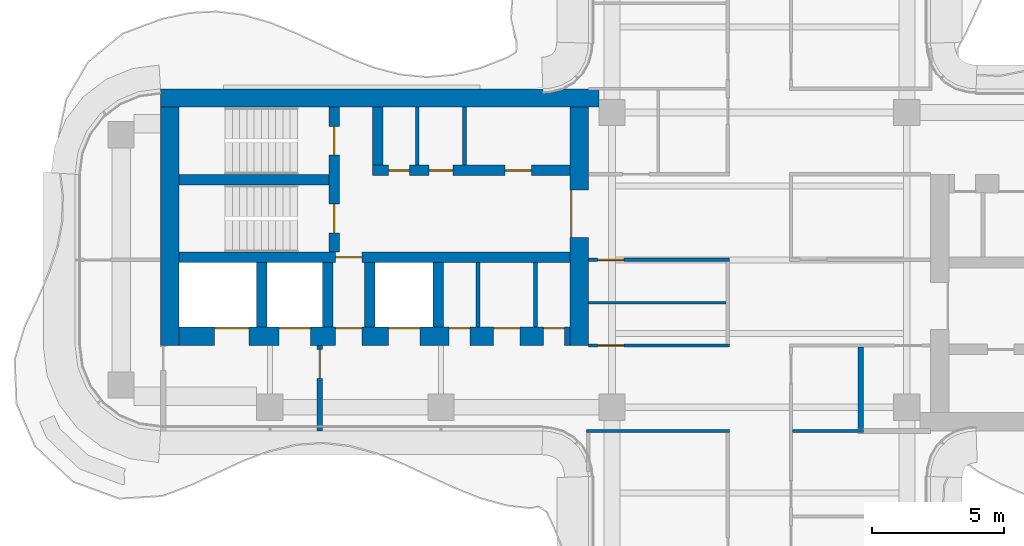
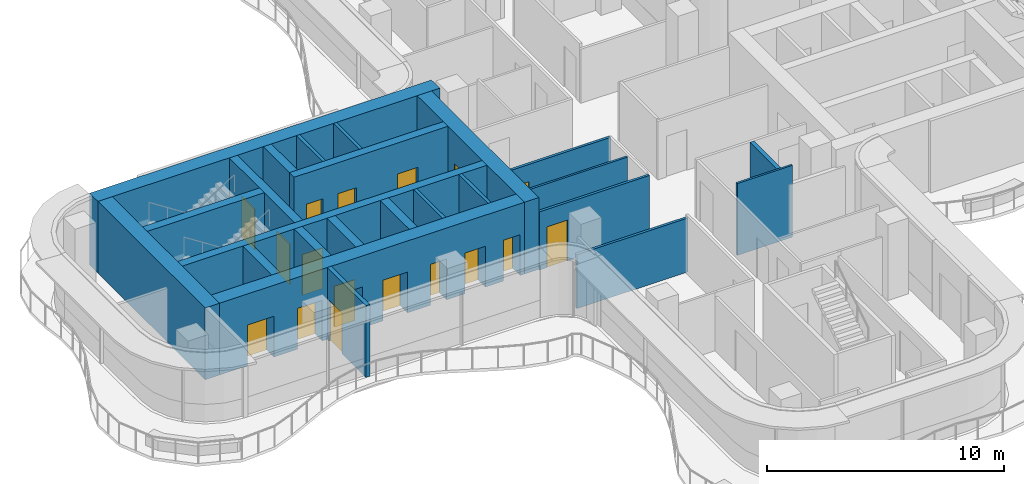
# One storey, part 11 of 16: 24 walls, 17 doors, 17 openings.
"""IFC4 building model written with IfcOpenShell, lengths in metres."""

from ifc_helpers import new_model, si_unit, direction, frame, frame_2d, origin, place, context, subcontext, project, spatial, rectangle, extrude, source, transform, mapped, material, layer, layer_set, type_object, element, fill, save


model = new_model("IFC4")

# Units and contexts
model_context = context("Model", 3, precision=1e-05, world=origin(), true_north=direction((0.0, 1.0)))
body_context = subcontext(model_context, "Body", "Model", "MODEL_VIEW")
ifc_project = project(units=[si_unit("LENGTHUNIT", "METRE"), si_unit("AREAUNIT", "SQUARE_METRE"), si_unit("VOLUMEUNIT", "CUBIC_METRE"), si_unit("PLANEANGLEUNIT", "RADIAN"), si_unit("MASSUNIT", "GRAM", prefix="KILO")], contexts=[model_context])

# Site, building, storey
site_placement = place(None, origin())
site = spatial("IfcSite", under=ifc_project, at=site_placement, CompositionType="ELEMENT")
building_placement = place(site_placement, origin())
building = spatial("IfcBuilding", under=site, at=building_placement, Name="Trellis Farm Tower", CompositionType="ELEMENT")
storey_placement = place(building_placement, frame((0.0, 0.0, 291.10009765625)))
storey = spatial("IfcBuildingStorey", under=building, at=storey_placement, Name="L65", CompositionType="ELEMENT", Elevation=291.10009765625)

# Wall, opening, door
ifc_material_1 = material(Name="Concrete C50/60", Category="concrete")
ifc_layer_1 = layer(ifc_material_1, 0.699951171875)
ifc_layer_set_1 = layer_set([ifc_layer_1], Name="CORE OUTER WALL 700 CONCRETE C50/60")
wall_type_1 = type_object("IfcWallType", Name="CORE OUTER WALL 700 CONCRETE C50/60", PredefinedType="SHEAR", material=ifc_layer_set_1)
shared_shape_1 = source(origin(), body_context, "Body", "SweptSolid", [
    extrude(rectangle(XDim=9.050048828125, YDim=0.699951171875, at=frame_2d((4.52490234375, 0.0))), origin(), (0.0, 0.0, 1.0), 3.699951171875),
])
wall_1_placement = place(storey_placement, frame((-6.85009765625, 5.800048828125, 0.0), z_axis=(0.0, 0.0, 1.0), x_axis=(0.0, -1.0, 0.0)))
wall_1 = element("IfcWall", 1, at=wall_1_placement, inside=storey, type_object=wall_type_1, Name="Core wall", PredefinedType="SHEAR", context=body_context, shape_type="MappedRepresentation", body=[
    mapped(shared_shape_1, transform((0.0, 0.0, 0.0))),
])
shared_shape_2 = source(origin(), body_context, "Body", "SweptSolid", [
    extrude(rectangle(XDim=1.800048828125, YDim=2.10009765625, at=frame_2d((0.89990234375, 1.050048828125))), frame((0.0, 0.360107421875, 0.0), z_axis=(0.0, -1.0, 0.0), x_axis=(1.0, 0.0, 0.0)), (0.0, 0.0, 1.0), 0.72021484375),
])
opening_1_placement = place(wall_1_placement, frame((3.14990234375, 0.0, 0.0)))
opening_1 = element("IfcOpeningElement", 2, at=opening_1_placement, cuts=wall_1, Name="Opening DC87", PredefinedType="OPENING", context=body_context, shape_type="MappedRepresentation", body=[
    mapped(shared_shape_2, transform((0.0, 0.0, 0.0))),
])
ifc_material_2 = material(Name="Steel", Category="steel")
door_type_1 = type_object("IfcDoorType", Name="CORE FIRE DOOR DOUBLE 1800 X 2100", OperationType="DOUBLE_DOOR_SINGLE_SWING", PredefinedType="DOOR", material=ifc_material_2)
shared_shape_3 = source(origin(), body_context, "Body", "SweptSolid", [
    extrude(rectangle(XDim=1.800048828125, YDim=2.10009765625, at=frame_2d((0.89990234375, 1.050048828125))), frame((0.0, -0.27490234375, 0.0), z_axis=(0.0, -1.0, 0.0), x_axis=(1.0, 0.0, 0.0)), (0.0, 0.0, 1.0), 0.050048828125),
])
door_1_placement = place(opening_1_placement, origin())
door_1 = element("IfcDoor", 3, at=door_1_placement, inside=storey, type_object=door_type_1, Name="Core door", OperationType="DOUBLE_DOOR_SINGLE_SWING", OverallHeight=2.10009765625, OverallWidth=1.800048828125, PredefinedType="DOOR", context=body_context, shape_type="MappedRepresentation", body=[
    mapped(shared_shape_3, transform((0.0, 0.0, 0.0))),
])
fill(opening_1, door_1)

# Walls
wall_2_placement = place(storey_placement, frame((-22.39990234375, 5.800048828125, 0.0), z_axis=(0.0, 0.0, 1.0), x_axis=(0.0, -1.0, 0.0)))
element("IfcWall", 4, at=wall_2_placement, inside=storey, type_object=wall_type_1, Name="Core wall", PredefinedType="SHEAR", context=body_context, shape_type="MappedRepresentation", body=[
    mapped(shared_shape_1, transform((0.0, 0.0, 0.0))),
])
ifc_layer_2 = layer(ifc_material_1, 0.39990234375)
ifc_layer_set_2 = layer_set([ifc_layer_2], Name="CORE INNER WALL 400 CONCRETE C50/60")
wall_type_2 = type_object("IfcWallType", Name="CORE INNER WALL 400 CONCRETE C50/60", PredefinedType="SHEAR", material=ifc_layer_set_2)
shared_shape_4 = source(origin(), body_context, "Body", "SweptSolid", [
    extrude(rectangle(XDim=2.449951171875, YDim=0.39990234375, at=frame_2d((1.22509765625, 0.0))), origin(), (0.0, 0.0, 1.0), 3.699951171875),
])
for number, where, z_axis, x_axis, name in (
    (5, (-12.199951171875, -0.10009765625, 0.0), (0.0, 0.0, 1.0), (0.0, -1.0, 0.0), "Core wall"),
    (6, (-14.800048828125, -0.10009765625, 0.0), (0.0, 0.0, 1.0), (0.0, -1.0, 0.0), "Core wall"),
    (7, (-16.39990234375, -0.10009765625, 0.0), (0.0, 0.0, 1.0), (0.0, -1.0, 0.0), "Core wall"),
    (8, (-18.89990234375, -0.10009765625, 0.0), (0.0, 0.0, 1.0), (0.0, -1.0, 0.0), "Core wall"),
):
    element("IfcWall", number, at=place(storey_placement, frame(where, z_axis=z_axis, x_axis=x_axis)), inside=storey, type_object=wall_type_2, Name=name, PredefinedType="SHEAR", context=body_context, shape_type="MappedRepresentation", body=[
        mapped(shared_shape_4, transform((0.0, 0.0, 0.0))),
    ])

# Wall, opening, door
ifc_material_3 = material(Name="Masonry blockwork", Category="masonry")
ifc_layer_3 = layer(ifc_material_3, 0.199951171875)
ifc_layer_set_3 = layer_set([ifc_layer_3], Name="FIRE LOBBY PARTITION 200 BLOCKWORK")
wall_type_3 = type_object("IfcWallType", Name="FIRE LOBBY PARTITION 200 BLOCKWORK", PredefinedType="PARTITIONING", material=ifc_layer_set_3)
shared_shape_5 = source(origin(), body_context, "Body", "SweptSolid", [
    extrude(rectangle(XDim=3.25, YDim=0.199951171875, at=frame_2d((1.625, 0.0))), origin(), (0.0, 0.0, 1.0), 3.699951171875),
])
wall_3_placement = place(storey_placement, frame((-16.699951171875, -3.25, 0.0), z_axis=(0.0, 0.0, 1.0), x_axis=(0.0, -1.0, 0.0)))
wall_3 = element("IfcWall", 9, at=wall_3_placement, inside=storey, type_object=wall_type_3, Name="Fire-fighting lobby partition", PredefinedType="PARTITIONING", context=body_context, shape_type="MappedRepresentation", body=[
    mapped(shared_shape_5, transform((0.0, 0.0, 0.0))),
])
shared_shape_6 = source(origin(), body_context, "Body", "SweptSolid", [
    extrude(rectangle(XDim=1.10009765625, YDim=2.10009765625, at=frame_2d((0.550048828125, 1.050048828125))), frame((0.0, 0.110107421875, 0.0), z_axis=(0.0, -1.0, 0.0), x_axis=(1.0, 0.0, 0.0)), (0.0, 0.0, 1.0), 0.22021484375),
])
opening_2_placement = place(wall_3_placement, frame((0.14990234375, 0.0, 0.0)))
opening_2 = element("IfcOpeningElement", 10, at=opening_2_placement, cuts=wall_3, Name="Opening DC93", PredefinedType="OPENING", context=body_context, shape_type="MappedRepresentation", body=[
    mapped(shared_shape_6, transform((0.0, 0.0, 0.0))),
])
door_type_2 = type_object("IfcDoorType", Name="CORE FIRE DOOR 1100 X 2100", OperationType="NOTDEFINED", PredefinedType="DOOR", material=ifc_material_2)
shared_shape_7 = source(origin(), body_context, "Body", "SweptSolid", [
    extrude(rectangle(XDim=1.10009765625, YDim=2.10009765625, at=frame_2d((0.550048828125, 1.050048828125))), frame((0.0, 0.02490234375, 0.0), z_axis=(0.0, -1.0, 0.0), x_axis=(1.0, 0.0, 0.0)), (0.0, 0.0, 1.0), 0.050048828125),
])
door_2_placement = place(opening_2_placement, origin())
door_2 = element("IfcDoor", 11, at=door_2_placement, inside=storey, type_object=door_type_2, Name="Core door", OperationType="SINGLE_SWING_RIGHT", OverallHeight=2.10009765625, OverallWidth=1.10009765625, PredefinedType="DOOR", context=body_context, shape_type="MappedRepresentation", body=[
    mapped(shared_shape_7, transform((0.0, 0.0, 0.0))),
])
fill(opening_2, door_2)

# Wall, openings, doors
shared_shape_8 = source(origin(), body_context, "Body", "SweptSolid", [
    extrude(rectangle(XDim=14.85009765625, YDim=0.699951171875, at=frame_2d((7.425048828125, 0.0))), origin(), (0.0, 0.0, 1.0), 3.699951171875),
])
wall_4_placement = place(storey_placement, frame((-7.199951171875, -2.89990234375, 0.0), z_axis=(0.0, 0.0, 1.0), x_axis=(-1.0, 0.0, 0.0)))
wall_4 = element("IfcWall", 12, at=wall_4_placement, inside=storey, type_object=wall_type_1, Name="Core wall", PredefinedType="SHEAR", context=body_context, shape_type="MappedRepresentation", body=[
    mapped(shared_shape_8, transform((0.0, 0.0, 0.0))),
])
shared_shape_9 = source(origin(), body_context, "Body", "SweptSolid", [
    extrude(rectangle(XDim=1.199951171875, YDim=2.10009765625, at=frame_2d((0.60009765625, 1.050048828125))), frame((0.0, 0.360107421875, 0.0), z_axis=(0.0, -1.0, 0.0), x_axis=(1.0, 0.0, 0.0)), (0.0, 0.0, 1.0), 0.72021484375),
])
opening_3_placement = place(wall_4_placement, frame((5.699951171875, 0.0, 0.0)))
opening_3 = element("IfcOpeningElement", 13, at=opening_3_placement, cuts=wall_4, Name="Opening LD14", PredefinedType="OPENING", context=body_context, shape_type="MappedRepresentation", body=[
    mapped(shared_shape_9, transform((0.0, 0.0, 0.0))),
])
shared_shape_10 = source(origin(), body_context, "Body", "SweptSolid", [
    extrude(rectangle(XDim=1.300048828125, YDim=2.10009765625, at=frame_2d((0.64990234375, 1.050048828125))), frame((0.0, 0.360107421875, 0.0), z_axis=(0.0, -1.0, 0.0), x_axis=(1.0, 0.0, 0.0)), (0.0, 0.0, 1.0), 0.72021484375),
])
opening_4_placement = place(wall_4_placement, frame((12.199951171875, 0.0, 0.0)))
opening_4 = element("IfcOpeningElement", 14, at=opening_4_placement, cuts=wall_4, Name="Opening LD15", PredefinedType="OPENING", context=body_context, shape_type="MappedRepresentation", body=[
    mapped(shared_shape_10, transform((0.0, 0.0, 0.0))),
])
opening_5_placement = place(wall_4_placement, frame((9.85009765625, 0.0, 0.0)))
opening_5 = element("IfcOpeningElement", 15, at=opening_5_placement, cuts=wall_4, Name="Opening LD16", PredefinedType="OPENING", context=body_context, shape_type="MappedRepresentation", body=[
    mapped(shared_shape_9, transform((0.0, 0.0, 0.0))),
])
shared_shape_11 = source(origin(), body_context, "Body", "SweptSolid", [
    extrude(rectangle(XDim=1.0, YDim=2.10009765625, at=frame_2d((0.5, 1.050048828125))), frame((0.0, 0.360107421875, 0.0), z_axis=(0.0, -1.0, 0.0), x_axis=(1.0, 0.0, 0.0)), (0.0, 0.0, 1.0), 0.72021484375),
])
opening_6_placement = place(wall_4_placement, frame((7.89990234375, 0.0, 0.0)))
opening_6 = element("IfcOpeningElement", 16, at=opening_6_placement, cuts=wall_4, Name="Opening DC92", PredefinedType="OPENING", context=body_context, shape_type="MappedRepresentation", body=[
    mapped(shared_shape_11, transform((0.0, 0.0, 0.0))),
])
shared_shape_12 = source(origin(), body_context, "Body", "SweptSolid", [
    extrude(rectangle(XDim=0.800048828125, YDim=2.10009765625, at=frame_2d((0.39990234375, 1.050048828125))), frame((0.0, 0.360107421875, 0.0), z_axis=(0.0, -1.0, 0.0), x_axis=(1.0, 0.0, 0.0)), (0.0, 0.0, 1.0), 0.72021484375),
])
opening_7_placement = place(wall_4_placement, frame((0.21240234375, 0.0, 0.0)))
opening_7 = element("IfcOpeningElement", 17, at=opening_7_placement, cuts=wall_4, Name="Opening DC96", PredefinedType="OPENING", context=body_context, shape_type="MappedRepresentation", body=[
    mapped(shared_shape_12, transform((0.0, 0.0, 0.0))),
])
opening_8_placement = place(wall_4_placement, frame((1.89990234375, 0.0, 0.0)))
opening_8 = element("IfcOpeningElement", 18, at=opening_8_placement, cuts=wall_4, Name="Opening DC105", PredefinedType="OPENING", context=body_context, shape_type="MappedRepresentation", body=[
    mapped(shared_shape_11, transform((0.0, 0.0, 0.0))),
])
opening_9_placement = place(wall_4_placement, frame((3.78759765625, 0.0, 0.0)))
opening_9 = element("IfcOpeningElement", 19, at=opening_9_placement, cuts=wall_4, Name="Opening DC108", PredefinedType="OPENING", context=body_context, shape_type="MappedRepresentation", body=[
    mapped(shared_shape_12, transform((0.0, 0.0, 0.0))),
])
door_type_3 = type_object("IfcDoorType", Name="CORE FIRE DOOR 1000 X 2100", OperationType="NOTDEFINED", PredefinedType="DOOR", material=ifc_material_2)
shared_shape_13 = source(origin(), body_context, "Body", "SweptSolid", [
    extrude(rectangle(XDim=1.0, YDim=2.10009765625, at=frame_2d((0.5, 1.050048828125))), frame((0.0, -0.27490234375, 0.0), z_axis=(0.0, -1.0, 0.0), x_axis=(1.0, 0.0, 0.0)), (0.0, 0.0, 1.0), 0.050048828125),
])
door_3_placement = place(opening_6_placement, origin())
door_3 = element("IfcDoor", 20, at=door_3_placement, inside=storey, type_object=door_type_3, Name="Core door", OperationType="SINGLE_SWING_LEFT", OverallHeight=2.10009765625, OverallWidth=1.0, PredefinedType="DOOR", context=body_context, shape_type="MappedRepresentation", body=[
    mapped(shared_shape_13, transform((0.0, 0.0, 0.0))),
])
fill(opening_6, door_3)
door_4_placement = place(opening_8_placement, origin())
door_4 = element("IfcDoor", 21, at=door_4_placement, inside=storey, type_object=door_type_3, Name="Core door", OperationType="SINGLE_SWING_LEFT", OverallHeight=2.10009765625, OverallWidth=1.0, PredefinedType="DOOR", context=body_context, shape_type="MappedRepresentation", body=[
    mapped(shared_shape_13, transform((0.0, 0.0, 0.0))),
])
fill(opening_8, door_4)
ifc_material_4 = material(Name="Stainless steel", Category="steel")
door_type_4 = type_object("IfcDoorType", Name="LIFT LANDING DOOR 1300 X 2100", OperationType="DOUBLE_DOOR_SLIDING", PredefinedType="DOOR", material=ifc_material_4)
shared_shape_14 = source(origin(), body_context, "Body", "SweptSolid", [
    extrude(rectangle(XDim=1.300048828125, YDim=2.10009765625, at=frame_2d((0.64990234375, 1.050048828125))), frame((0.0, -0.27490234375, 0.0), z_axis=(0.0, -1.0, 0.0), x_axis=(1.0, 0.0, 0.0)), (0.0, 0.0, 1.0), 0.050048828125),
])
door_5_placement = place(opening_4_placement, origin())
door_5 = element("IfcDoor", 22, at=door_5_placement, inside=storey, type_object=door_type_4, Name="Lift landing door", OperationType="DOUBLE_DOOR_SLIDING", OverallHeight=2.10009765625, OverallWidth=1.300048828125, PredefinedType="DOOR", context=body_context, shape_type="MappedRepresentation", body=[
    mapped(shared_shape_14, transform((0.0, 0.0, 0.0))),
])
fill(opening_4, door_5)
door_type_5 = type_object("IfcDoorType", Name="LIFT LANDING DOOR 1200 X 2100", OperationType="DOUBLE_DOOR_SLIDING", PredefinedType="DOOR", material=ifc_material_4)
shared_shape_15 = source(origin(), body_context, "Body", "SweptSolid", [
    extrude(rectangle(XDim=1.199951171875, YDim=2.10009765625, at=frame_2d((0.60009765625, 1.050048828125))), frame((0.0, -0.27490234375, 0.0), z_axis=(0.0, -1.0, 0.0), x_axis=(1.0, 0.0, 0.0)), (0.0, 0.0, 1.0), 0.050048828125),
])
door_6_placement = place(opening_3_placement, origin())
door_6 = element("IfcDoor", 23, at=door_6_placement, inside=storey, type_object=door_type_5, Name="Lift landing door", OperationType="DOUBLE_DOOR_SLIDING", OverallHeight=2.10009765625, OverallWidth=1.199951171875, PredefinedType="DOOR", context=body_context, shape_type="MappedRepresentation", body=[
    mapped(shared_shape_15, transform((0.0, 0.0, 0.0))),
])
fill(opening_3, door_6)
door_7_placement = place(opening_5_placement, origin())
door_7 = element("IfcDoor", 24, at=door_7_placement, inside=storey, type_object=door_type_5, Name="Lift landing door", OperationType="DOUBLE_DOOR_SLIDING", OverallHeight=2.10009765625, OverallWidth=1.199951171875, PredefinedType="DOOR", context=body_context, shape_type="MappedRepresentation", body=[
    mapped(shared_shape_15, transform((0.0, 0.0, 0.0))),
])
fill(opening_5, door_7)
door_type_6 = type_object("IfcDoorType", Name="CORE FIRE DOOR 800 X 2100", OperationType="NOTDEFINED", PredefinedType="DOOR", material=ifc_material_2)
shared_shape_16 = source(origin(), body_context, "Body", "SweptSolid", [
    extrude(rectangle(XDim=0.800048828125, YDim=2.10009765625, at=frame_2d((0.39990234375, 1.050048828125))), frame((0.0, -0.27490234375, 0.0), z_axis=(0.0, -1.0, 0.0), x_axis=(1.0, 0.0, 0.0)), (0.0, 0.0, 1.0), 0.050048828125),
])
door_8_placement = place(opening_7_placement, origin())
door_8 = element("IfcDoor", 25, at=door_8_placement, inside=storey, type_object=door_type_6, Name="Core door", OperationType="SINGLE_SWING_RIGHT", OverallHeight=2.10009765625, OverallWidth=0.800048828125, PredefinedType="DOOR", context=body_context, shape_type="MappedRepresentation", body=[
    mapped(shared_shape_16, transform((0.0, 0.0, 0.0))),
])
fill(opening_7, door_8)
door_9_placement = place(opening_9_placement, origin())
door_9 = element("IfcDoor", 26, at=door_9_placement, inside=storey, type_object=door_type_6, Name="Core door", OperationType="SINGLE_SWING_RIGHT", OverallHeight=2.10009765625, OverallWidth=0.800048828125, PredefinedType="DOOR", context=body_context, shape_type="MappedRepresentation", body=[
    mapped(shared_shape_16, transform((0.0, 0.0, 0.0))),
])
fill(opening_9, door_9)

shared_shape_17 = source(origin(), body_context, "Body", "SweptSolid", [
    extrude(rectangle(XDim=7.5, YDim=0.39990234375, at=frame_2d((3.75, 0.0))), origin(), (0.0, 0.0, 1.0), 3.699951171875),
])
wall_5_placement = place(storey_placement, frame((-7.199951171875, 3.39990234375, 0.0), z_axis=(0.0, 0.0, 1.0), x_axis=(-1.0, 0.0, 0.0)))
wall_5 = element("IfcWall", 27, at=wall_5_placement, inside=storey, type_object=wall_type_2, Name="Core wall", PredefinedType="SHEAR", context=body_context, shape_type="MappedRepresentation", body=[
    mapped(shared_shape_17, transform((0.0, 0.0, 0.0))),
])
shared_shape_18 = source(origin(), body_context, "Body", "SweptSolid", [
    extrude(rectangle(XDim=1.0, YDim=2.10009765625, at=frame_2d((0.5, 1.050048828125))), frame((0.0, 0.2099609375, 0.0), z_axis=(0.0, -1.0, 0.0), x_axis=(1.0, 0.0, 0.0)), (0.0, 0.0, 1.0), 0.419921875),
])
opening_10_placement = place(wall_5_placement, frame((1.46240234375, 0.0, 0.0)))
opening_10 = element("IfcOpeningElement", 28, at=opening_10_placement, cuts=wall_5, Name="Opening DC141", PredefinedType="OPENING", context=body_context, shape_type="MappedRepresentation", body=[
    mapped(shared_shape_18, transform((0.0, 0.0, 0.0))),
])
shared_shape_19 = source(origin(), body_context, "Body", "SweptSolid", [
    extrude(rectangle(XDim=0.89990234375, YDim=2.10009765625, at=frame_2d((0.449951171875, 1.050048828125))), frame((0.0, 0.2099609375, 0.0), z_axis=(0.0, -1.0, 0.0), x_axis=(1.0, 0.0, 0.0)), (0.0, 0.0, 1.0), 0.419921875),
])
opening_11_placement = place(wall_5_placement, frame((4.449951171875, 0.0, 0.0)))
opening_11 = element("IfcOpeningElement", 29, at=opening_11_placement, cuts=wall_5, Name="Opening DC146", PredefinedType="OPENING", context=body_context, shape_type="MappedRepresentation", body=[
    mapped(shared_shape_19, transform((0.0, 0.0, 0.0))),
])
shared_shape_20 = source(origin(), body_context, "Body", "SweptSolid", [
    extrude(rectangle(XDim=0.800048828125, YDim=2.10009765625, at=frame_2d((0.39990234375, 1.050048828125))), frame((0.0, 0.2099609375, 0.0), z_axis=(0.0, -1.0, 0.0), x_axis=(1.0, 0.0, 0.0)), (0.0, 0.0, 1.0), 0.419921875),
])
opening_12_placement = place(wall_5_placement, frame((6.08740234375, 0.0, 0.0)))
opening_12 = element("IfcOpeningElement", 30, at=opening_12_placement, cuts=wall_5, Name="Opening DC149", PredefinedType="OPENING", context=body_context, shape_type="MappedRepresentation", body=[
    mapped(shared_shape_20, transform((0.0, 0.0, 0.0))),
])
shared_shape_21 = source(origin(), body_context, "Body", "SweptSolid", [
    extrude(rectangle(XDim=1.0, YDim=2.10009765625, at=frame_2d((0.5, 1.050048828125))), frame((0.0, 0.02490234375, 0.0), z_axis=(0.0, -1.0, 0.0), x_axis=(1.0, 0.0, 0.0)), (0.0, 0.0, 1.0), 0.050048828125),
])
door_10_placement = place(opening_10_placement, origin())
door_10 = element("IfcDoor", 31, at=door_10_placement, inside=storey, type_object=door_type_3, Name="Core door", OperationType="SINGLE_SWING_LEFT", OverallHeight=2.10009765625, OverallWidth=1.0, PredefinedType="DOOR", context=body_context, shape_type="MappedRepresentation", body=[
    mapped(shared_shape_21, transform((0.0, 0.0, 0.0))),
])
fill(opening_10, door_10)
door_type_7 = type_object("IfcDoorType", Name="CORE FIRE DOOR 900 X 2100", OperationType="NOTDEFINED", PredefinedType="DOOR", material=ifc_material_2)
shared_shape_22 = source(origin(), body_context, "Body", "SweptSolid", [
    extrude(rectangle(XDim=0.89990234375, YDim=2.10009765625, at=frame_2d((0.449951171875, 1.050048828125))), frame((0.0, 0.02490234375, 0.0), z_axis=(0.0, -1.0, 0.0), x_axis=(1.0, 0.0, 0.0)), (0.0, 0.0, 1.0), 0.050048828125),
])
door_11_placement = place(opening_11_placement, origin())
door_11 = element("IfcDoor", 32, at=door_11_placement, inside=storey, type_object=door_type_7, Name="Core door", OperationType="SINGLE_SWING_RIGHT", OverallHeight=2.10009765625, OverallWidth=0.89990234375, PredefinedType="DOOR", context=body_context, shape_type="MappedRepresentation", body=[
    mapped(shared_shape_22, transform((0.0, 0.0, 0.0))),
])
fill(opening_11, door_11)
shared_shape_23 = source(origin(), body_context, "Body", "SweptSolid", [
    extrude(rectangle(XDim=0.800048828125, YDim=2.10009765625, at=frame_2d((0.39990234375, 1.050048828125))), frame((0.0, 0.02490234375, 0.0), z_axis=(0.0, -1.0, 0.0), x_axis=(1.0, 0.0, 0.0)), (0.0, 0.0, 1.0), 0.050048828125),
])
door_12_placement = place(opening_12_placement, origin())
door_12 = element("IfcDoor", 33, at=door_12_placement, inside=storey, type_object=door_type_6, Name="Core door", OperationType="SINGLE_SWING_LEFT", OverallHeight=2.10009765625, OverallWidth=0.800048828125, PredefinedType="DOOR", context=body_context, shape_type="MappedRepresentation", body=[
    mapped(shared_shape_23, transform((0.0, 0.0, 0.0))),
])
fill(opening_12, door_12)

# Wall, opening, door
shared_shape_24 = source(origin(), body_context, "Body", "SweptSolid", [
    extrude(rectangle(XDim=14.85009765625, YDim=0.39990234375, at=frame_2d((7.425048828125, 0.0))), origin(), (0.0, 0.0, 1.0), 3.699951171875),
])
wall_6_placement = place(storey_placement, frame((-7.199951171875, 0.10009765625, 0.0), z_axis=(0.0, 0.0, 1.0), x_axis=(-1.0, 0.0, 0.0)))
wall_6 = element("IfcWall", 34, at=wall_6_placement, inside=storey, type_object=wall_type_2, Name="Core wall", PredefinedType="SHEAR", context=body_context, shape_type="MappedRepresentation", body=[
    mapped(shared_shape_24, transform((0.0, 0.0, 0.0))),
])
opening_13_placement = place(wall_6_placement, frame((7.89990234375, 0.0, 0.0)))
opening_13 = element("IfcOpeningElement", 35, at=opening_13_placement, cuts=wall_6, Name="Opening DC91", PredefinedType="OPENING", context=body_context, shape_type="MappedRepresentation", body=[
    mapped(shared_shape_18, transform((0.0, 0.0, 0.0))),
])
door_13_placement = place(opening_13_placement, origin())
door_13 = element("IfcDoor", 36, at=door_13_placement, inside=storey, type_object=door_type_3, Name="Core door", OperationType="SINGLE_SWING_RIGHT", OverallHeight=2.10009765625, OverallWidth=1.0, PredefinedType="DOOR", context=body_context, shape_type="MappedRepresentation", body=[
    mapped(shared_shape_21, transform((0.0, 0.0, 0.0))),
])
fill(opening_13, door_13)

# Wall, openings, doors
shared_shape_25 = source(origin(), body_context, "Body", "SweptSolid", [
    extrude(rectangle(XDim=5.5, YDim=0.39990234375, at=frame_2d((2.75, 0.0))), origin(), (0.0, 0.0, 1.0), 3.699951171875),
])
wall_7_placement = place(storey_placement, frame((-16.14990234375, 5.800048828125, 0.0), z_axis=(0.0, 0.0, 1.0), x_axis=(0.0, -1.0, 0.0)))
wall_7 = element("IfcWall", 37, at=wall_7_placement, inside=storey, type_object=wall_type_2, Name="Core wall", PredefinedType="SHEAR", context=body_context, shape_type="MappedRepresentation", body=[
    mapped(shared_shape_25, transform((0.0, 0.0, 0.0))),
])
shared_shape_26 = source(origin(), body_context, "Body", "SweptSolid", [
    extrude(rectangle(XDim=1.10009765625, YDim=2.10009765625, at=frame_2d((0.550048828125, 1.050048828125))), frame((0.0, 0.2099609375, 0.0), z_axis=(0.0, -1.0, 0.0), x_axis=(1.0, 0.0, 0.0)), (0.0, 0.0, 1.0), 0.419921875),
])
opening_14_placement = place(wall_7_placement, frame((0.72509765625, 0.0, 0.0)))
opening_14 = element("IfcOpeningElement", 38, at=opening_14_placement, cuts=wall_7, Name="Opening DC88", PredefinedType="OPENING", context=body_context, shape_type="MappedRepresentation", body=[
    mapped(shared_shape_26, transform((0.0, 0.0, 0.0))),
])
opening_15_placement = place(wall_7_placement, frame((3.675048828125, 0.0, 0.0)))
opening_15 = element("IfcOpeningElement", 39, at=opening_15_placement, cuts=wall_7, Name="Opening DC89", PredefinedType="OPENING", context=body_context, shape_type="MappedRepresentation", body=[
    mapped(shared_shape_26, transform((0.0, 0.0, 0.0))),
])
door_14_placement = place(opening_14_placement, origin())
door_14 = element("IfcDoor", 40, at=door_14_placement, inside=storey, type_object=door_type_2, Name="Core door", OperationType="SINGLE_SWING_RIGHT", OverallHeight=2.10009765625, OverallWidth=1.10009765625, PredefinedType="DOOR", context=body_context, shape_type="MappedRepresentation", body=[
    mapped(shared_shape_7, transform((0.0, 0.0, 0.0))),
])
fill(opening_14, door_14)
door_15_placement = place(opening_15_placement, origin())
door_15 = element("IfcDoor", 41, at=door_15_placement, inside=storey, type_object=door_type_2, Name="Core door", OperationType="SINGLE_SWING_LEFT", OverallHeight=2.10009765625, OverallWidth=1.10009765625, PredefinedType="DOOR", context=body_context, shape_type="MappedRepresentation", body=[
    mapped(shared_shape_7, transform((0.0, 0.0, 0.0))),
])
fill(opening_15, door_15)

# Walls
shared_shape_27 = source(origin(), body_context, "Body", "SweptSolid", [
    extrude(rectangle(XDim=5.699951171875, YDim=0.39990234375, at=frame_2d((2.85009765625, 0.0))), origin(), (0.0, 0.0, 1.0), 3.699951171875),
])
wall_8_placement = place(storey_placement, frame((-16.35009765625, 3.050048828125, 0.0), z_axis=(0.0, 0.0, 1.0), x_axis=(-1.0, 0.0, 0.0)))
element("IfcWall", 42, at=wall_8_placement, inside=storey, type_object=wall_type_2, Name="Core wall", PredefinedType="SHEAR", context=body_context, shape_type="MappedRepresentation", body=[
    mapped(shared_shape_27, transform((0.0, 0.0, 0.0))),
])
shared_shape_28 = source(origin(), body_context, "Body", "SweptSolid", [
    extrude(rectangle(XDim=2.199951171875, YDim=0.39990234375, at=frame_2d((1.10009765625, 0.0))), origin(), (0.0, 0.0, 1.0), 3.699951171875),
])
wall_9_placement = place(storey_placement, frame((-14.5, 5.800048828125, 0.0), z_axis=(0.0, 0.0, 1.0), x_axis=(0.0, -1.0, 0.0)))
element("IfcWall", 43, at=wall_9_placement, inside=storey, type_object=wall_type_2, Name="Core wall", PredefinedType="SHEAR", context=body_context, shape_type="MappedRepresentation", body=[
    mapped(shared_shape_28, transform((0.0, 0.0, 0.0))),
])
ifc_layer_4 = layer(ifc_material_3, 0.14990234375)
ifc_layer_set_4 = layer_set([ifc_layer_4], Name="CORE PARTITION 150 BLOCKWORK")
wall_type_4 = type_object("IfcWallType", Name="CORE PARTITION 150 BLOCKWORK", PredefinedType="PARTITIONING", material=ifc_layer_set_4)
shared_shape_29 = source(origin(), body_context, "Body", "SweptSolid", [
    extrude(rectangle(XDim=2.199951171875, YDim=0.14990234375, at=frame_2d((1.10009765625, 0.0))), origin(), (0.0, 0.0, 1.0), 3.699951171875),
])
for number, where, z_axis, x_axis, name in (
    (44, (-11.199951171875, 5.800048828125, 0.0), (0.0, 0.0, 1.0), (0.0, -1.0, 0.0), "Core room partition"),
    (45, (-13.0, 5.800048828125, 0.0), (0.0, 0.0, 1.0), (0.0, -1.0, 0.0), "Core room partition"),
):
    element("IfcWall", number, at=place(storey_placement, frame(where, z_axis=z_axis, x_axis=x_axis)), inside=storey, type_object=wall_type_4, Name=name, PredefinedType="PARTITIONING", context=body_context, shape_type="MappedRepresentation", body=[
        mapped(shared_shape_29, transform((0.0, 0.0, 0.0))),
    ])
shared_shape_30 = source(origin(), body_context, "Body", "SweptSolid", [
    extrude(rectangle(XDim=16.64990234375, YDim=0.699951171875, at=frame_2d((8.324951171875, 0.0))), origin(), (0.0, 0.0, 1.0), 3.699951171875),
])
wall_10_placement = place(storey_placement, frame((-6.10009765625, 6.14990234375, 0.0), z_axis=(0.0, 0.0, 1.0), x_axis=(-1.0, 0.0, 0.0)))
element("IfcWall", 46, at=wall_10_placement, inside=storey, type_object=wall_type_1, Name="Core wall", PredefinedType="SHEAR", context=body_context, shape_type="MappedRepresentation", body=[
    mapped(shared_shape_30, transform((0.0, 0.0, 0.0))),
])
shared_shape_31 = source(origin(), body_context, "Body", "SweptSolid", [
    extrude(rectangle(XDim=2.449951171875, YDim=0.14990234375, at=frame_2d((1.22509765625, 0.0))), origin(), (0.0, 0.0, 1.0), 3.699951171875),
])
for number, where, z_axis, x_axis, name in (
    (47, (-8.5, -0.10009765625, 0.0), (0.0, 0.0, 1.0), (0.0, -1.0, 0.0), "Core room partition"),
    (48, (-10.699951171875, -0.10009765625, 0.0), (0.0, 0.0, 1.0), (0.0, -1.0, 0.0), "Core room partition"),
):
    element("IfcWall", number, at=place(storey_placement, frame(where, z_axis=z_axis, x_axis=x_axis)), inside=storey, type_object=wall_type_4, Name=name, PredefinedType="PARTITIONING", context=body_context, shape_type="MappedRepresentation", body=[
        mapped(shared_shape_31, transform((0.0, 0.0, 0.0))),
    ])

# Wall, opening, door
ifc_material_5 = material(Name="Plasterboard on steel studs, mineral wool", Category="steel")
ifc_layer_5 = layer(ifc_material_5, 0.125)
ifc_layer_set_5 = layer_set([ifc_layer_5], Name="PARTITION 125 STUD EI 60")
wall_type_5 = type_object("IfcWallType", Name="PARTITION 125 STUD EI 60", PredefinedType="PARTITIONING", material=ifc_layer_set_5)
shared_shape_32 = source(origin(), body_context, "Body", "SweptSolid", [
    extrude(rectangle(XDim=5.362548828125, YDim=0.125, at=frame_2d((2.68115234375, 0.0))), origin(), (0.0, 0.0, 1.0), 2.99658203125),
])
wall_11_placement = place(storey_placement, frame((-1.137451171875, -3.25, 0.0), z_axis=(0.0, 0.0, 1.0), x_axis=(-1.0, 0.0, 0.0)))
wall_11 = element("IfcWall", 49, at=wall_11_placement, inside=storey, type_object=wall_type_5, Name="Partition PW1", PredefinedType="PARTITIONING", context=body_context, shape_type="MappedRepresentation", body=[
    mapped(shared_shape_32, transform((0.0, 0.0, 0.0))),
])
shared_shape_33 = source(origin(), body_context, "Body", "SweptSolid", [
    extrude(rectangle(XDim=1.0, YDim=2.10009765625, at=frame_2d((0.5, 1.050048828125))), frame((0.0, 0.072509765625, 0.0), z_axis=(0.0, -1.0, 0.0), x_axis=(1.0, 0.0, 0.0)), (0.0, 0.0, 1.0), 0.14501953125),
])
opening_16_placement = place(wall_11_placement, frame((4.012451171875, 0.0, 0.0)))
opening_16 = element("IfcOpeningElement", 50, at=opening_16_placement, cuts=wall_11, Name="Opening D103", PredefinedType="OPENING", context=body_context, shape_type="MappedRepresentation", body=[
    mapped(shared_shape_33, transform((0.0, 0.0, 0.0))),
])
ifc_material_6 = material(Name="Fire-rated timber door leaf in a hollow metal frame", Category="wood")
door_type_8 = type_object("IfcDoorType", Name="DOOR 1000x2100 FD30S", OperationType="NOTDEFINED", PredefinedType="DOOR", material=ifc_material_6)
door_16_placement = place(opening_16_placement, origin())
door_16 = element("IfcDoor", 51, at=door_16_placement, inside=storey, type_object=door_type_8, Name="Door D103", OperationType="SINGLE_SWING_RIGHT", OverallHeight=2.10009765625, OverallWidth=1.0, PredefinedType="DOOR", context=body_context, shape_type="MappedRepresentation", body=[
    mapped(shared_shape_21, transform((0.0, 0.0, 0.0))),
])
fill(opening_16, door_16)

wall_12_placement = place(storey_placement, frame((-1.137451171875, 0.0, 0.0), z_axis=(0.0, 0.0, 1.0), x_axis=(-1.0, 0.0, 0.0)))
wall_12 = element("IfcWall", 52, at=wall_12_placement, inside=storey, type_object=wall_type_5, Name="Partition PW1", PredefinedType="PARTITIONING", context=body_context, shape_type="MappedRepresentation", body=[
    mapped(shared_shape_32, transform((0.0, 0.0, 0.0))),
])
opening_17_placement = place(wall_12_placement, frame((4.012451171875, 0.0, 0.0)))
opening_17 = element("IfcOpeningElement", 53, at=opening_17_placement, cuts=wall_12, Name="Opening D105", PredefinedType="OPENING", context=body_context, shape_type="MappedRepresentation", body=[
    mapped(shared_shape_33, transform((0.0, 0.0, 0.0))),
])
door_17_placement = place(opening_17_placement, origin())
door_17 = element("IfcDoor", 54, at=door_17_placement, inside=storey, type_object=door_type_8, Name="Door D105", OperationType="SINGLE_SWING_RIGHT", OverallHeight=2.10009765625, OverallWidth=1.0, PredefinedType="DOOR", context=body_context, shape_type="MappedRepresentation", body=[
    mapped(shared_shape_21, transform((0.0, 0.0, 0.0))),
])
fill(opening_17, door_17)

# Walls
ifc_material_7 = material(Name="Plasterboard on steel studs", Category="steel")
ifc_layer_6 = layer(ifc_material_7, 0.10009765625)
ifc_layer_set_6 = layer_set([ifc_layer_6], Name="PARTITION 100 STUD EI 30")
wall_type_6 = type_object("IfcWallType", Name="PARTITION 100 STUD EI 30", PredefinedType="PARTITIONING", material=ifc_layer_set_6)
shared_shape_34 = source(origin(), body_context, "Body", "SweptSolid", [
    extrude(rectangle(XDim=5.237548828125, YDim=0.10009765625, at=frame_2d((2.61865234375, 0.0))), origin(), (0.0, 0.0, 1.0), 2.99658203125),
])
wall_13_placement = place(storey_placement, frame((-6.5, -1.625, 0.0), z_axis=(0.0, 0.0, 1.0), x_axis=(1.0, 0.0, 0.0)))
element("IfcWall", 55, at=wall_13_placement, inside=storey, type_object=wall_type_6, Name="Partition PW2", PredefinedType="PARTITIONING", context=body_context, shape_type="MappedRepresentation", body=[
    mapped(shared_shape_34, transform((0.0, 0.0, 0.0))),
])
shared_shape_35 = source(origin(), body_context, "Body", "SweptSolid", [
    extrude(rectangle(XDim=5.425048828125, YDim=0.125, at=frame_2d((2.71240234375, 0.0))), origin(), (0.0, 0.0, 1.0), 2.77978515625),
])
wall_14_placement = place(storey_placement, frame((-1.137451171875, -6.5, 0.0), z_axis=(0.0, 0.0, 1.0), x_axis=(-1.0, 0.0, 0.0)))
element("IfcWall", 56, at=wall_14_placement, inside=storey, type_object=wall_type_5, Name="Partition PW1", PredefinedType="PARTITIONING", context=body_context, shape_type="MappedRepresentation", body=[
    mapped(shared_shape_35, transform((0.0, 0.0, 0.0))),
])
ifc_material_8 = material(Name="Lightweight blockwork, plastered", Category="masonry")
ifc_layer_7 = layer(ifc_material_8, 0.199951171875)
ifc_layer_set_7 = layer_set([ifc_layer_7], Name="BLOCK WALL 200 EI 120")
wall_type_7 = type_object("IfcWallType", Name="BLOCK WALL 200 EI 120", PredefinedType="PARTITIONING", material=ifc_layer_set_7)
shared_shape_36 = source(origin(), body_context, "Body", "SweptSolid", [
    extrude(rectangle(XDim=3.08740234375, YDim=0.199951171875, at=frame_2d((1.543701171875, 0.0))), origin(), (0.0, 0.0, 1.0), 2.99658203125),
])
wall_15_placement = place(storey_placement, frame((3.85009765625, -6.39990234375, 0.0), z_axis=(0.0, 0.0, 1.0), x_axis=(0.0, 1.0, 0.0)))
element("IfcWall", 57, at=wall_15_placement, inside=storey, type_object=wall_type_7, Name="Partition PW3", PredefinedType="PARTITIONING", context=body_context, shape_type="MappedRepresentation", body=[
    mapped(shared_shape_36, transform((0.0, 0.0, 0.0))),
])
shared_shape_37 = source(origin(), body_context, "Body", "SweptSolid", [
    extrude(rectangle(XDim=2.6875, YDim=0.10009765625, at=frame_2d((1.34375, 0.0))), origin(), (0.0, 0.0, 1.0), 3.699951171875),
])
wall_16_placement = place(storey_placement, frame((1.262451171875, -6.5, 0.0), z_axis=(0.0, 0.0, 1.0), x_axis=(1.0, 0.0, 0.0)))
element("IfcWall", 58, at=wall_16_placement, inside=storey, type_object=wall_type_6, Name="Partition PW2", PredefinedType="PARTITIONING", context=body_context, shape_type="MappedRepresentation", body=[
    mapped(shared_shape_37, transform((0.0, 0.0, 0.0))),
])

save(model, "model.ifc")
